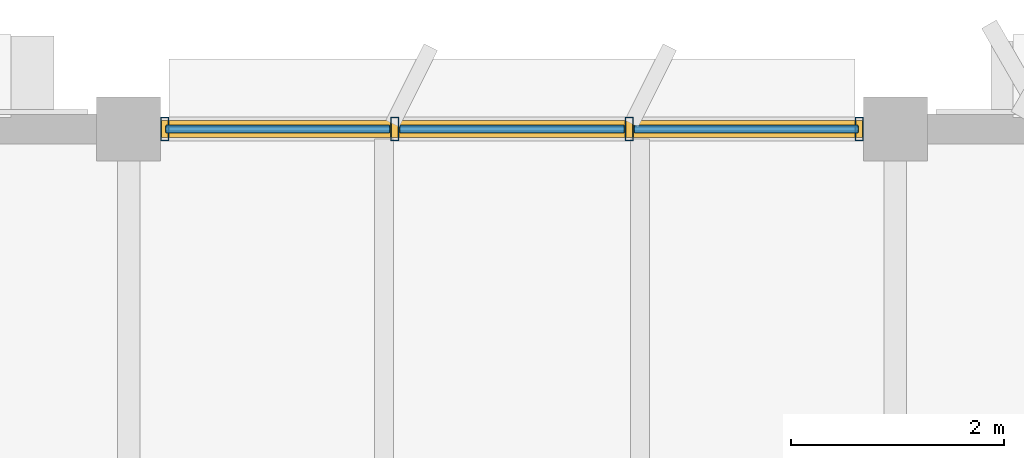
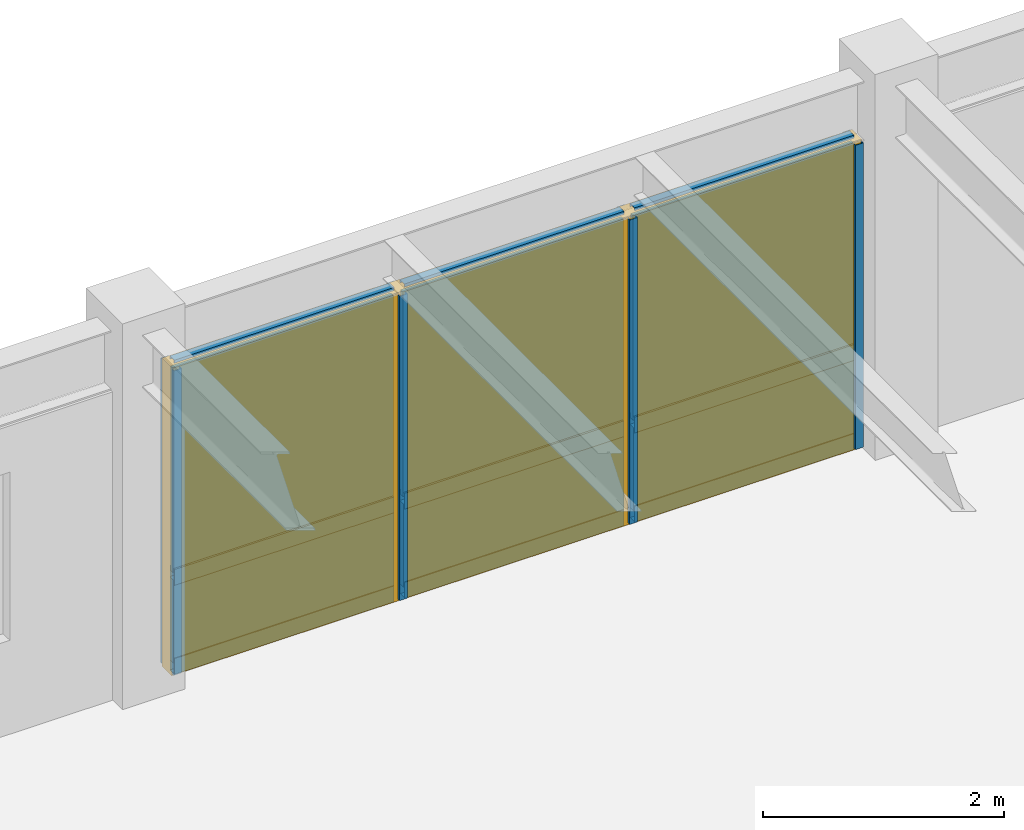
# One storey, part 60 of 82: 13 members, 6 plates, 1 curtain wall.
"""IFC4 building model written with IfcOpenShell, lengths in metres."""

import ifcopenshell
import ifcopenshell.guid

model = None  # the IFC model being written
_history = None  # IfcOwnerHistory: only IFC2X3 demands one
_inside = {}  # id of a spatial element -> (the spatial element, [elements in it])
_under = {}  # id of a project, library or spatial element -> (it, [spatial elements below it])
_declared = {}  # id of a project -> (the project, [libraries it declares])
_typed = {}  # id of a type object -> (the type object, [elements of that type])
_made_of = {}  # id of a material, layer set ... -> (it, [elements and type objects made of it])


def new_model(schema):
    """Start an empty IFC model of exactly this schema.

    Asked for "IFC4X3", IfcOpenShell would pick the latest addendum, in which some entities
    have other attributes; the version numbers below select the first issue.
    IFC2X3 requires an IfcOwnerHistory on every rooted entity: one is made here for all.
    """
    global model, _history
    if schema == "IFC4X3":
        model = ifcopenshell.file(schema_version=(4, 3, 0, 0))
    else:
        model = ifcopenshell.file(schema=schema)
    _inside.clear()
    _under.clear()
    _declared.clear()
    _typed.clear()
    _made_of.clear()
    _history = None
    if model.schema == "IFC2X3":
        org = make("IfcOrganization", Name="unknown")
        user = make(
            "IfcPersonAndOrganization",
            ThePerson=make("IfcPerson", FamilyName="unknown"),
            TheOrganization=org,
        )
        app = make(
            "IfcApplication",
            ApplicationDeveloper=org,
            Version="unknown",
            ApplicationFullName="unknown",
            ApplicationIdentifier="unknown",
        )
        _history = make(
            "IfcOwnerHistory",
            OwningUser=user,
            OwningApplication=app,
            ChangeAction="ADDED",
            CreationDate=0,
        )
    return model


def make(cls, **values):
    """One entity of the class cls with the attributes given. An attribute that is None is left unset."""
    return model.create_entity(
        cls, **{name: value for name, value in values.items() if value is not None}
    )


def rooted(cls, **values):
    """An entity with a GlobalId (a new one), such as an element, a storey or a relation."""
    return make(cls, GlobalId=ifcopenshell.guid.new(), OwnerHistory=_history, **values)


def si_unit(unit_type, name, prefix=None):
    """IfcSIUnit, for example si_unit("LENGTHUNIT", "METRE", prefix="MILLI")."""
    return make("IfcSIUnit", UnitType=unit_type, Prefix=prefix, Name=name)


def assignment(units):
    """IfcUnitAssignment: the units of a project."""
    return None if units is None else make("IfcUnitAssignment", Units=units)


def point(xyz):
    """IfcCartesianPoint."""
    return None if xyz is None else make("IfcCartesianPoint", Coordinates=xyz)


def direction(xyz):
    """IfcDirection."""
    return None if xyz is None else make("IfcDirection", DirectionRatios=xyz)


def frame(location, z_axis=None, x_axis=None):
    """IfcAxis2Placement3D, a coordinate frame: its origin and axes. An axis left out is left unset."""
    return make(
        "IfcAxis2Placement3D",
        Location=point(location),
        Axis=direction(z_axis),
        RefDirection=direction(x_axis),
    )


def frame_2d(location, x_axis=None):
    """IfcAxis2Placement2D, a coordinate frame in the plane: its origin and x axis."""
    return make(
        "IfcAxis2Placement2D", Location=point(location), RefDirection=direction(x_axis)
    )


def origin():
    """The frame at (0, 0, 0) with its axes left unset."""
    return frame((0.0, 0.0, 0.0))


def origin_2d():
    """The frame at (0, 0) in the plane with its x axis left unset."""
    return frame_2d((0.0, 0.0))


def place(relative_to, where):
    """IfcLocalPlacement: puts the frame where relative to a parent placement (None: the world)."""
    return make(
        "IfcLocalPlacement", PlacementRelTo=relative_to, RelativePlacement=where
    )


def context(
    kind, dimensions, precision=None, world=None, true_north=None, identifier=None
):
    """IfcGeometricRepresentationContext, for example the 3D "Model" context."""
    return make(
        "IfcGeometricRepresentationContext",
        ContextIdentifier=identifier,
        ContextType=kind,
        CoordinateSpaceDimension=dimensions,
        Precision=precision,
        WorldCoordinateSystem=world,
        TrueNorth=true_north,
    )


def subcontext(parent, identifier, kind, view, scale=None):
    """IfcGeometricRepresentationSubContext, for example "Body" below "Model"."""
    return make(
        "IfcGeometricRepresentationSubContext",
        ContextIdentifier=identifier,
        ContextType=kind,
        ParentContext=parent,
        TargetScale=scale,
        TargetView=view,
    )


def project(units=None, contexts=None):
    """IfcProject with its units and contexts."""
    return rooted(
        "IfcProject",
        Name="project",
        RepresentationContexts=contexts,
        UnitsInContext=assignment(units),
    )


def spatial(cls, under=None, at=None, **own):
    """A site, building, storey or space (cls), placed at a placement, below another one or the project."""
    s = rooted(cls, ObjectPlacement=at, **own)
    if under is not None:
        _under.setdefault(under.id(), (under, []))[1].append(s)
    return s


def profile(cls, at=None, kind="AREA", **sizes):
    """A parametric profile (cls). Its sizes go by their IFC names, for example OverallWidth=200.0."""
    return make(cls, ProfileType=kind, Position=at, **sizes)


def rectangle(**sizes):
    """IfcRectangleProfileDef."""
    return profile("IfcRectangleProfileDef", **sizes)


def hollow_rectangle(**sizes):
    """IfcRectangleHollowProfileDef."""
    return profile("IfcRectangleHollowProfileDef", **sizes)


def extrude(swept, where, along, depth):
    """IfcExtrudedAreaSolid: the profile swept, set in the frame where, extruded along a direction by depth."""
    return make(
        "IfcExtrudedAreaSolid",
        SweptArea=swept,
        Position=where,
        ExtrudedDirection=direction(along),
        Depth=depth,
    )


def shape(context_of_items, identifier, shape_type, items):
    """IfcShapeRepresentation: the items that make up one representation, for example the "Body"."""
    return make(
        "IfcShapeRepresentation",
        ContextOfItems=context_of_items,
        RepresentationIdentifier=identifier,
        RepresentationType=shape_type,
        Items=items,
    )


def material(Name=None, Category=None):
    """IfcMaterial."""
    return make("IfcMaterial", Name=Name, Category=Category)


def layer(
    of_material, thickness, ventilated=None, Name=None, Category=None, Priority=None
):
    """IfcMaterialLayer: one layer of a wall or slab, of a material (None: an air gap)."""
    return make(
        "IfcMaterialLayer",
        Material=of_material,
        LayerThickness=thickness,
        IsVentilated=ventilated,
        Name=Name,
        Category=Category,
        Priority=Priority,
    )


def layer_set(layers, Name=None):
    """IfcMaterialLayerSet."""
    return make("IfcMaterialLayerSet", MaterialLayers=layers, LayerSetName=Name)


def material_profile(
    of_material, cross_section, Name=None, Category=None, Priority=None
):
    """IfcMaterialProfile: a cross section and its material."""
    return make(
        "IfcMaterialProfile",
        Name=Name,
        Material=of_material,
        Profile=cross_section,
        Priority=Priority,
        Category=Category,
    )


def profile_set(profiles, Name=None, composite=None):
    """IfcMaterialProfileSet."""
    return make(
        "IfcMaterialProfileSet",
        Name=Name,
        MaterialProfiles=profiles,
        CompositeProfile=composite,
    )


def made_of(thing, what):
    """Note that an element or type object is made of a material, layer set ...; save() writes the relation."""
    if what is not None:
        _made_of.setdefault(what.id(), (what, []))[1].append(thing)
    return thing


def type_object(cls, material=None, **own):
    """A type object (cls), such as IfcWallType, which elements share."""
    return made_of(rooted(cls, **own), material)


def element(
    cls,
    number,
    at=None,
    inside=None,
    cuts=None,
    type_object=None,
    material=None,
    context=None,
    identifier="Body",
    shape_type=None,
    held_by="IfcProductDefinitionShape",
    body=None,
    shapes=None,
    **own,
):
    """One element of the class cls, such as IfcWall. Its Tag is "e" and its number.

    at: its placement. inside: the storey or other place that contains it. cuts: it is an
    opening in that element (IfcRelVoidsElement). A single representation is given by context,
    identifier, shape_type and body (its items); several are given by shapes. held_by: the class
    of the entity that holds the representations. save() writes the other relations.
    """
    e = rooted(cls, Tag="e%d" % number, ObjectPlacement=at, **own)
    if body is not None:
        shapes = [shape(context, identifier, shape_type, body)]
    if shapes is not None:
        e.Representation = make(held_by, Representations=shapes)
    if inside is not None:
        _inside.setdefault(inside.id(), (inside, []))[1].append(e)
    if cuts is not None:
        rooted(
            "IfcRelVoidsElement", RelatingBuildingElement=cuts, RelatedOpeningElement=e
        )
    if type_object is not None:
        _typed.setdefault(type_object.id(), (type_object, []))[1].append(e)
    return made_of(e, material)


def aggregate(whole, parts):
    """IfcRelAggregates: a whole, such as a stair, and the parts it consists of."""
    return rooted("IfcRelAggregates", RelatingObject=whole, RelatedObjects=parts)


def save(model, path):
    """Write the relations noted so far, then the file.

    IfcRelAggregates (storeys below a building ...), IfcRelContainedInSpatialStructure (elements
    in a storey), IfcRelDefinesByType, IfcRelAssociatesMaterial and IfcRelDeclares: one each for
    every whole, place, type object, material and project.
    """
    for whole, parts in _under.values():
        aggregate(whole, parts)
    for where, things in _inside.values():
        rooted(
            "IfcRelContainedInSpatialStructure",
            RelatedElements=things,
            RelatingStructure=where,
        )
    for kind, things in _typed.values():
        rooted("IfcRelDefinesByType", RelatedObjects=things, RelatingType=kind)
    for what, things in _made_of.values():
        rooted("IfcRelAssociatesMaterial", RelatedObjects=things, RelatingMaterial=what)
    for by, libraries in _declared.values():
        rooted("IfcRelDeclares", RelatingContext=by, RelatedDefinitions=libraries)
    model.write(path)


model = new_model("IFC4")

# Units and contexts
model_context = context("Model", 3, precision=1e-05, world=origin(), true_north=direction((0.0, 1.0)))
body_context = subcontext(model_context, "Body", "Model", "MODEL_VIEW")
ifc_project = project(units=[si_unit("LENGTHUNIT", "METRE"), si_unit("AREAUNIT", "SQUARE_METRE"), si_unit("VOLUMEUNIT", "CUBIC_METRE"), si_unit("PLANEANGLEUNIT", "RADIAN"), si_unit("MASSUNIT", "GRAM", prefix="KILO")], contexts=[model_context])

# Member
ifc_material_1 = material(Name="Anodized Aluminium 6063-T6", Category="aluminium")
ifc_material_profile_1 = material_profile(ifc_material_1, hollow_rectangle(XDim=0.074951171875, YDim=0.219970703125, WallThickness=0.0048828125, at=origin_2d()), Name="ALU 75x220x5")
ifc_profile_set_1 = profile_set([ifc_material_profile_1], Name="Anodized Aluminium 6063-T6")
member_type_1 = type_object("IfcMemberType", Name="CWM-75X180", PredefinedType="MULLION", material=ifc_profile_set_1)
site_placement = place(None, origin())
building_placement = place(site_placement, origin())
storey_placement = place(building_placement, frame((0.0, 0.0, 14.10009765625)))
member_1_placement = place(storey_placement, frame((65.139892578125, 115.199951171875, 0.02001953125), z_axis=(0.0, 0.0, 1.0), x_axis=(1.0, 0.0, 0.0)))
member_1 = element("IfcMember", 1, at=member_1_placement, type_object=member_type_1, Name="Curtain wall mullion CW-L04-09-15-N-00", PredefinedType="MULLION", context=body_context, shape_type="SweptSolid", body=[
    extrude(hollow_rectangle(XDim=0.074951171875, YDim=0.219970703125, WallThickness=0.0048828125, at=origin_2d()), origin(), (0.0, 0.0, 1.0), 3.077880859375),
])

member_2_placement = place(storey_placement, frame((67.300048828125, 115.199951171875, 0.02001953125), z_axis=(0.0, 0.0, 1.0), x_axis=(1.0, 0.0, 0.0)))
member_2 = element("IfcMember", 2, at=member_2_placement, type_object=member_type_1, Name="Curtain wall mullion CW-L04-09-15-N-01", PredefinedType="MULLION", context=body_context, shape_type="SweptSolid", body=[
    extrude(hollow_rectangle(XDim=0.074951171875, YDim=0.219970703125, WallThickness=0.0048828125, at=origin_2d()), origin(), (0.0, 0.0, 1.0), 3.077880859375),
])

member_3_placement = place(storey_placement, frame((69.5, 115.199951171875, 0.02001953125), z_axis=(0.0, 0.0, 1.0), x_axis=(1.0, 0.0, 0.0)))
member_3 = element("IfcMember", 3, at=member_3_placement, type_object=member_type_1, Name="Curtain wall mullion CW-L04-09-15-N-02", PredefinedType="MULLION", context=body_context, shape_type="SweptSolid", body=[
    extrude(hollow_rectangle(XDim=0.074951171875, YDim=0.219970703125, WallThickness=0.0048828125, at=origin_2d()), origin(), (0.0, 0.0, 1.0), 3.077880859375),
])

member_4_placement = place(storey_placement, frame((71.659912109375, 115.199951171875, 0.02001953125), z_axis=(0.0, 0.0, 1.0), x_axis=(1.0, 0.0, 0.0)))
member_4 = element("IfcMember", 4, at=member_4_placement, type_object=member_type_1, Name="Curtain wall mullion CW-L04-09-15-N-03", PredefinedType="MULLION", context=body_context, shape_type="SweptSolid", body=[
    extrude(hollow_rectangle(XDim=0.074951171875, YDim=0.219970703125, WallThickness=0.0048828125, at=origin_2d()), origin(), (0.0, 0.0, 1.0), 3.077880859375),
])

ifc_material_profile_2 = material_profile(ifc_material_1, hollow_rectangle(XDim=0.074951171875, YDim=0.159912109375, WallThickness=0.00390625, at=origin_2d()), Name="ALU 75x160x4")
ifc_profile_set_2 = profile_set([ifc_material_profile_2], Name="Anodized Aluminium 6063-T6")
member_type_2 = type_object("IfcMemberType", Name="CWT-75X150", PredefinedType="USERDEFINED", material=ifc_profile_set_2)
member_5_placement = place(storey_placement, frame((65.14990234375, 115.199951171875, 0.0498046875), z_axis=(1.0, 0.0, 0.0), x_axis=(0.0, 1.0, 0.0)))
member_5 = element("IfcMember", 5, at=member_5_placement, type_object=member_type_2, Name="Curtain wall transom CW-L04-09-15-N-1.01", ObjectType="TRANSOM", PredefinedType="USERDEFINED", context=body_context, shape_type="SweptSolid", body=[
    extrude(hollow_rectangle(XDim=0.074951171875, YDim=0.159912109375, WallThickness=0.00390625, at=origin_2d()), origin(), (0.0, 0.0, 1.0), 2.10009765625),
])

member_6_placement = place(storey_placement, frame((67.35009765625, 115.199951171875, 0.0498046875), z_axis=(1.0, 0.0, 0.0), x_axis=(0.0, 1.0, 0.0)))
member_6 = element("IfcMember", 6, at=member_6_placement, type_object=member_type_2, Name="Curtain wall transom CW-L04-09-15-N-1.02", ObjectType="TRANSOM", PredefinedType="USERDEFINED", context=body_context, shape_type="SweptSolid", body=[
    extrude(hollow_rectangle(XDim=0.074951171875, YDim=0.159912109375, WallThickness=0.00390625, at=origin_2d()), origin(), (0.0, 0.0, 1.0), 2.099853515625),
])

member_7_placement = place(storey_placement, frame((69.550048828125, 115.199951171875, 0.0498046875), z_axis=(1.0, 0.0, 0.0), x_axis=(0.0, 1.0, 0.0)))
member_7 = element("IfcMember", 7, at=member_7_placement, type_object=member_type_2, Name="Curtain wall transom CW-L04-09-15-N-1.03", ObjectType="TRANSOM", PredefinedType="USERDEFINED", context=body_context, shape_type="SweptSolid", body=[
    extrude(hollow_rectangle(XDim=0.074951171875, YDim=0.159912109375, WallThickness=0.00390625, at=origin_2d()), origin(), (0.0, 0.0, 1.0), 2.099853515625),
])

member_8_placement = place(storey_placement, frame((65.14990234375, 115.199951171875, 0.949951171875), z_axis=(1.0, 0.0, 0.0), x_axis=(0.0, 1.0, 0.0)))
member_8 = element("IfcMember", 8, at=member_8_placement, type_object=member_type_2, Name="Curtain wall transom CW-L04-09-15-N-2.01", ObjectType="TRANSOM", PredefinedType="USERDEFINED", context=body_context, shape_type="SweptSolid", body=[
    extrude(hollow_rectangle(XDim=0.074951171875, YDim=0.159912109375, WallThickness=0.00390625, at=origin_2d()), origin(), (0.0, 0.0, 1.0), 2.10009765625),
])

member_9_placement = place(storey_placement, frame((67.35009765625, 115.199951171875, 0.949951171875), z_axis=(1.0, 0.0, 0.0), x_axis=(0.0, 1.0, 0.0)))
member_9 = element("IfcMember", 9, at=member_9_placement, type_object=member_type_2, Name="Curtain wall transom CW-L04-09-15-N-2.02", ObjectType="TRANSOM", PredefinedType="USERDEFINED", context=body_context, shape_type="SweptSolid", body=[
    extrude(hollow_rectangle(XDim=0.074951171875, YDim=0.159912109375, WallThickness=0.00390625, at=origin_2d()), origin(), (0.0, 0.0, 1.0), 2.099853515625),
])

member_10_placement = place(storey_placement, frame((69.550048828125, 115.199951171875, 0.949951171875), z_axis=(1.0, 0.0, 0.0), x_axis=(0.0, 1.0, 0.0)))
member_10 = element("IfcMember", 10, at=member_10_placement, type_object=member_type_2, Name="Curtain wall transom CW-L04-09-15-N-2.03", ObjectType="TRANSOM", PredefinedType="USERDEFINED", context=body_context, shape_type="SweptSolid", body=[
    extrude(hollow_rectangle(XDim=0.074951171875, YDim=0.159912109375, WallThickness=0.00390625, at=origin_2d()), origin(), (0.0, 0.0, 1.0), 2.099853515625),
])

member_11_placement = place(storey_placement, frame((65.14990234375, 115.199951171875, 3.06787109375), z_axis=(1.0, 0.0, 0.0), x_axis=(0.0, 1.0, 0.0)))
member_11 = element("IfcMember", 11, at=member_11_placement, type_object=member_type_2, Name="Curtain wall transom CW-L04-09-15-N-3.01", ObjectType="TRANSOM", PredefinedType="USERDEFINED", context=body_context, shape_type="SweptSolid", body=[
    extrude(hollow_rectangle(XDim=0.074951171875, YDim=0.159912109375, WallThickness=0.00390625, at=origin_2d()), origin(), (0.0, 0.0, 1.0), 2.10009765625),
])

member_12_placement = place(storey_placement, frame((67.35009765625, 115.199951171875, 3.06787109375), z_axis=(1.0, 0.0, 0.0), x_axis=(0.0, 1.0, 0.0)))
member_12 = element("IfcMember", 12, at=member_12_placement, type_object=member_type_2, Name="Curtain wall transom CW-L04-09-15-N-3.02", ObjectType="TRANSOM", PredefinedType="USERDEFINED", context=body_context, shape_type="SweptSolid", body=[
    extrude(hollow_rectangle(XDim=0.074951171875, YDim=0.159912109375, WallThickness=0.00390625, at=origin_2d()), origin(), (0.0, 0.0, 1.0), 2.099853515625),
])

member_13_placement = place(storey_placement, frame((69.550048828125, 115.199951171875, 3.06787109375), z_axis=(1.0, 0.0, 0.0), x_axis=(0.0, 1.0, 0.0)))
member_13 = element("IfcMember", 13, at=member_13_placement, type_object=member_type_2, Name="Curtain wall transom CW-L04-09-15-N-3.03", ObjectType="TRANSOM", PredefinedType="USERDEFINED", context=body_context, shape_type="SweptSolid", body=[
    extrude(hollow_rectangle(XDim=0.074951171875, YDim=0.159912109375, WallThickness=0.00390625, at=origin_2d()), origin(), (0.0, 0.0, 1.0), 2.099853515625),
])

# Plate
ifc_material_2 = material(Name="Acoustic Laminated Low-E Glazing", Category="glass")
ifc_layer_1 = layer(ifc_material_2, 0.0439453125)
ifc_layer_set_1 = layer_set([ifc_layer_1], Name="Acoustic Laminated Low-E Glazing")
plate_type_1 = type_object("IfcPlateType", Name="CWP-IGU-44", PredefinedType="CURTAIN_PANEL", material=ifc_layer_set_1)
plate_1_placement = place(storey_placement, frame((66.199951171875, 115.199951171875, 0.98974609375), z_axis=(0.0, 0.0, 1.0), x_axis=(1.0, 0.0, 0.0)))
plate_1 = element("IfcPlate", 14, at=plate_1_placement, type_object=plate_type_1, Name="Curtain wall vision glazing CW-L04-09-15-N-01", PredefinedType="CURTAIN_PANEL", context=body_context, shape_type="SweptSolid", body=[
    extrude(rectangle(XDim=2.110107421875, YDim=0.0400390625, at=origin_2d()), origin(), (0.0, 0.0, 1.0), 2.068115234375),
])

plate_2_placement = place(storey_placement, frame((68.39990234375, 115.199951171875, 0.98974609375), z_axis=(0.0, 0.0, 1.0), x_axis=(1.0, 0.0, 0.0)))
plate_2 = element("IfcPlate", 15, at=plate_2_placement, type_object=plate_type_1, Name="Curtain wall vision glazing CW-L04-09-15-N-02", PredefinedType="CURTAIN_PANEL", context=body_context, shape_type="SweptSolid", body=[
    extrude(rectangle(XDim=2.110107421875, YDim=0.0400390625, at=origin_2d()), origin(), (0.0, 0.0, 1.0), 2.068115234375),
])

plate_3_placement = place(storey_placement, frame((70.60009765625, 115.199951171875, 0.98974609375), z_axis=(0.0, 0.0, 1.0), x_axis=(1.0, 0.0, 0.0)))
plate_3 = element("IfcPlate", 16, at=plate_3_placement, type_object=plate_type_1, Name="Curtain wall vision glazing CW-L04-09-15-N-03", PredefinedType="CURTAIN_PANEL", context=body_context, shape_type="SweptSolid", body=[
    extrude(rectangle(XDim=2.110107421875, YDim=0.0400390625, at=origin_2d()), origin(), (0.0, 0.0, 1.0), 2.068115234375),
])

ifc_material_3 = material(Name="Insulated Stone-Composite Spandrel", Category="masonry")
ifc_layer_2 = layer(ifc_material_3, 0.068115234375)
ifc_layer_set_2 = layer_set([ifc_layer_2], Name="Insulated Stone-Composite Spandrel")
plate_type_2 = type_object("IfcPlateType", Name="CWP-SPN-68", PredefinedType="CURTAIN_PANEL", material=ifc_layer_set_2)
plate_4_placement = place(storey_placement, frame((66.199951171875, 115.199951171875, 0.080078125), z_axis=(0.0, 0.0, 1.0), x_axis=(1.0, 0.0, 0.0)))
plate_4 = element("IfcPlate", 17, at=plate_4_placement, type_object=plate_type_2, Name="Curtain wall spandrel panel CW-L04-09-15-N-01", PredefinedType="CURTAIN_PANEL", context=body_context, shape_type="SweptSolid", body=[
    extrude(rectangle(XDim=2.110107421875, YDim=0.06005859375, at=origin_2d()), origin(), (0.0, 0.0, 1.0), 0.840087890625),
])

plate_5_placement = place(storey_placement, frame((68.39990234375, 115.199951171875, 0.080078125), z_axis=(0.0, 0.0, 1.0), x_axis=(1.0, 0.0, 0.0)))
plate_5 = element("IfcPlate", 18, at=plate_5_placement, type_object=plate_type_2, Name="Curtain wall spandrel panel CW-L04-09-15-N-02", PredefinedType="CURTAIN_PANEL", context=body_context, shape_type="SweptSolid", body=[
    extrude(rectangle(XDim=2.110107421875, YDim=0.06005859375, at=origin_2d()), origin(), (0.0, 0.0, 1.0), 0.840087890625),
])

plate_6_placement = place(storey_placement, frame((70.60009765625, 115.199951171875, 0.080078125), z_axis=(0.0, 0.0, 1.0), x_axis=(1.0, 0.0, 0.0)))
plate_6 = element("IfcPlate", 19, at=plate_6_placement, type_object=plate_type_2, Name="Curtain wall spandrel panel CW-L04-09-15-N-03", PredefinedType="CURTAIN_PANEL", context=body_context, shape_type="SweptSolid", body=[
    extrude(rectangle(XDim=2.110107421875, YDim=0.06005859375, at=origin_2d()), origin(), (0.0, 0.0, 1.0), 0.840087890625),
])

# Site, building, storey
site = spatial("IfcSite", under=ifc_project, at=site_placement, CompositionType="ELEMENT")
building = spatial("IfcBuilding", under=site, at=building_placement, Name="Sillqori Civic Hall", CompositionType="ELEMENT")
storey = spatial("IfcBuildingStorey", under=building, at=storey_placement, Name="L04", CompositionType="ELEMENT", Elevation=14.10009765625)

# Curtain wall
ifc_material_4 = material(Name="Anodized Aluminium Curtain Wall System", Category="aluminium")
curtain_wall_type = type_object("IfcCurtainWallType", Name="CW-AD-370", PredefinedType="NOTDEFINED", material=ifc_material_4)
curtain_wall_placement = place(storey_placement, frame((68.39990234375, 115.199951171875, 0.0), z_axis=(0.0, 0.0, 1.0), x_axis=(1.0, 0.0, 0.0)))
curtain_wall = element("IfcCurtainWall", 20, at=curtain_wall_placement, inside=storey, type_object=curtain_wall_type, Name="L04 unitised curtain wall CW-L04-09-15-N", PredefinedType="NOTDEFINED", context=body_context, shape_type="SweptSolid", body=[
    extrude(rectangle(XDim=6.60009765625, YDim=0.159912109375, at=origin_2d()), origin(), (0.0, 0.0, 1.0), 3.117919921875),
])

aggregate(curtain_wall, [member_1, member_2, member_3, member_4, member_5, member_6, member_7, member_8, member_9, member_10, member_11, member_12, member_13, plate_4, plate_1, plate_5, plate_2, plate_6, plate_3])

save(model, "model.ifc")
